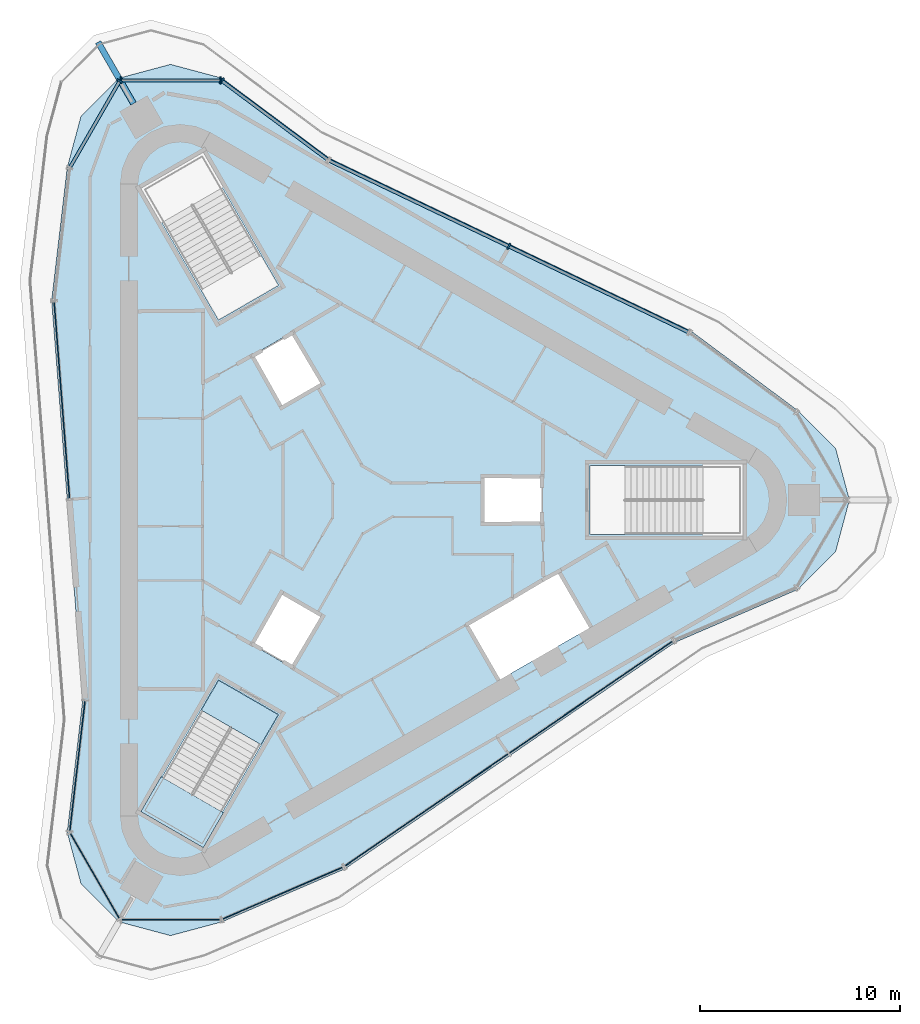
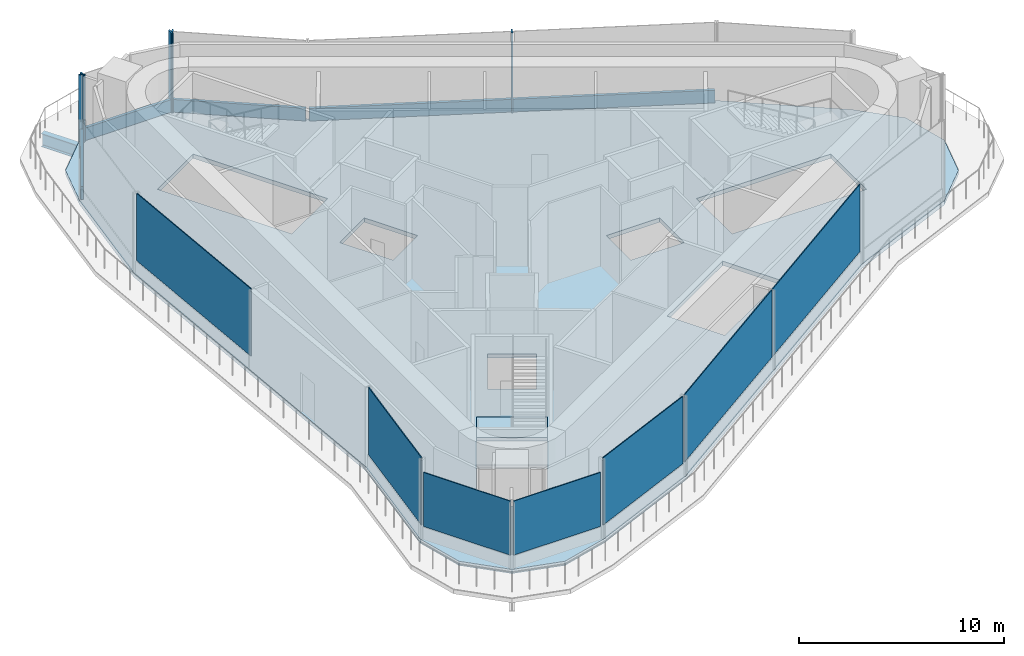
# One storey, part 2 of 8: 10 members, 7 plates, 3 slabs, 1 beam, 11 elements without a shape of their own.
"""IFC4 building model written with IfcOpenShell, lengths in metres."""

from ifc_helpers import new_model, si_unit, direction, frame, origin, origin_2d, place, context, subcontext, project, spatial, polyline, rectangle, i_section, outline, extrude, material, layer, layer_set, material_profile, profile_set, type_object, element, aggregate, save


model = new_model("IFC4")

# Units and contexts
model_context = context("Model", 3, precision=1e-05, world=origin(), true_north=direction((0.0, 1.0)))
body_context = subcontext(model_context, "Body", "Model", "MODEL_VIEW")
ifc_project = project(units=[si_unit("LENGTHUNIT", "METRE"), si_unit("AREAUNIT", "SQUARE_METRE"), si_unit("VOLUMEUNIT", "CUBIC_METRE"), si_unit("PLANEANGLEUNIT", "RADIAN"), si_unit("MASSUNIT", "GRAM", prefix="KILO")], contexts=[model_context])

# Site, building, storey
site_placement = place(None, origin())
site = spatial("IfcSite", under=ifc_project, at=site_placement, CompositionType="ELEMENT")
building_placement = place(site_placement, origin())
building = spatial("IfcBuilding", under=site, at=building_placement, Name="Tanit Gate Tower", CompositionType="ELEMENT")
storey_placement = place(building_placement, frame((0.0, 0.0, 435.300048828125)))
storey = spatial("IfcBuildingStorey", under=building, at=storey_placement, Name="L98", CompositionType="ELEMENT", Elevation=435.300048828125)

# Beam
ifc_material_1 = material(Name="Steel S355", Category="steel")
ifc_material_profile_1 = material_profile(ifc_material_1, i_section(OverallWidth=0.300048828125, OverallDepth=0.7900390625, WebThickness=0.014892578125, FlangeThickness=0.028076171875, FilletRadius=0.030029296875, at=origin_2d()), Name="HEA 800")
ifc_profile_set_1 = profile_set([ifc_material_profile_1], Name="Steel S355")
beam_type = type_object("IfcBeamType", Name="CROWN TERRACE GIRDER HEA 800 S355", PredefinedType="BEAM", material=ifc_profile_set_1)
beam_placement = place(storey_placement, frame((-11.424560546875, 19.787841796875, -0.64501953125), z_axis=(-0.499947514557, 0.866055704149, 0.0), x_axis=(-0.866055704149, -0.499947514557, 0.0)))
element("IfcBeam", 1, at=beam_placement, inside=storey, type_object=beam_type, Name="CROWN TERRACE GIRDER", PredefinedType="BEAM", context=body_context, shape_type="SweptSolid", body=[
    extrude(i_section(OverallWidth=0.300048828125, OverallDepth=0.7900390625, WebThickness=0.014892578125, FlangeThickness=0.028076171875, FilletRadius=0.030029296875, at=origin_2d()), origin(), (0.0, 0.0, 1.0), 3.537109375),
])

# Curtain wall, member
ifc_material_2 = material(Name="Aluminium bronze anodised and glass", Category="aluminium")
curtain_wall_type = type_object("IfcCurtainWallType", Name="Curtain wall plant screen", PredefinedType="NOTDEFINED", material=ifc_material_2)
curtain_wall_1_placement = place(storey_placement, origin())
curtain_wall_1 = element("IfcCurtainWall", 2, at=curtain_wall_1_placement, inside=storey, type_object=curtain_wall_type, Name="Curtain wall L98 NE2", PredefinedType="NOTDEFINED")
ifc_material_3 = material(Name="Aluminium bronze anodised", Category="aluminium")
ifc_material_profile_2 = material_profile(ifc_material_3, rectangle(XDim=0.340087890625, YDim=0.080078125, at=origin_2d()), Name="80x340 bronze mullion")
ifc_profile_set_2 = profile_set([ifc_material_profile_2], Name="Aluminium bronze anodised")
member_type_1 = type_object("IfcMemberType", Name="Mullion 80x340 plant screen", PredefinedType="MULLION", material=ifc_profile_set_2)
member_1_placement = place(storey_placement, frame((7.3046875, 12.65673828125, -0.25), z_axis=(0.0, 0.0, 1.0), x_axis=(-0.431072811819, -0.902317145415, 0.0)))
member_1 = element("IfcMember", 3, at=member_1_placement, type_object=member_type_1, Name="Mullion L98 NE2.2", PredefinedType="MULLION", context=body_context, shape_type="SweptSolid", body=[
    extrude(rectangle(XDim=0.340087890625, YDim=0.080078125, at=origin_2d()), origin(), (0.0, 0.0, 1.0), 5.0),
])

curtain_wall_2_placement = place(storey_placement, origin())
curtain_wall_2 = element("IfcCurtainWall", 4, at=curtain_wall_2_placement, inside=storey, type_object=curtain_wall_type, Name="Curtain wall L98 NE3", PredefinedType="NOTDEFINED")
member_2_placement = place(storey_placement, frame((-7.019775390625, 20.920166015625, -0.25), z_axis=(0.0, 0.0, 1.0), x_axis=(-0.59734052401, -0.801987717098, 0.0)))
member_2 = element("IfcMember", 5, at=member_2_placement, type_object=member_type_1, Name="Mullion L98 NE3.2", PredefinedType="MULLION", context=body_context, shape_type="SweptSolid", body=[
    extrude(rectangle(XDim=0.340087890625, YDim=0.080078125, at=origin_2d()), origin(), (0.0, 0.0, 1.0), 5.0),
])

# Curtain wall, members
curtain_wall_3_placement = place(storey_placement, origin())
curtain_wall_3 = element("IfcCurtainWall", 6, at=curtain_wall_3_placement, inside=storey, type_object=curtain_wall_type, Name="Curtain wall L98 NW.arc1", PredefinedType="NOTDEFINED")
member_3_placement = place(storey_placement, frame((-7.091796875, 20.944091796875, -0.25), z_axis=(0.0, 0.0, 1.0), x_axis=(-0.000471083302, -0.99999988904, 0.0)))
member_3 = element("IfcMember", 7, at=member_3_placement, type_object=member_type_1, Name="Mullion L98 NW.arc1.1", PredefinedType="MULLION", context=body_context, shape_type="SweptSolid", body=[
    extrude(rectangle(XDim=0.340087890625, YDim=0.080078125, at=origin_2d()), origin(), (0.0, 0.0, 1.0), 5.0),
])
member_4_placement = place(storey_placement, frame((-12.053466796875, 20.9462890625, -0.25), z_axis=(0.0, 0.0, 1.0), x_axis=(-0.000471083302, -0.99999988904, 0.0)))
member_4 = element("IfcMember", 8, at=member_4_placement, type_object=member_type_1, Name="Mullion L98 NW.arc1.2", PredefinedType="MULLION", context=body_context, shape_type="SweptSolid", body=[
    extrude(rectangle(XDim=0.340087890625, YDim=0.080078125, at=origin_2d()), origin(), (0.0, 0.0, 1.0), 4.2099609375),
])

# Curtain wall, member
curtain_wall_4_placement = place(storey_placement, origin())
curtain_wall_4 = element("IfcCurtainWall", 9, at=curtain_wall_4_placement, inside=storey, type_object=curtain_wall_type, Name="Curtain wall L98 NW.arc2", PredefinedType="NOTDEFINED")
member_5_placement = place(storey_placement, frame((-12.11328125, 20.911865234375, -0.25), z_axis=(0.0, 0.0, 1.0), x_axis=(0.866624446929, -0.498960988441, 0.0)))
member_5 = element("IfcMember", 10, at=member_5_placement, type_object=member_type_1, Name="Mullion L98 NW.arc2.1", PredefinedType="MULLION", context=body_context, shape_type="SweptSolid", body=[
    extrude(rectangle(XDim=0.340087890625, YDim=0.080078125, at=origin_2d()), origin(), (0.0, 0.0, 1.0), 4.2099609375),
])

# Member
ifc_material_4 = material(Name="Aluminium bronze anodised", Category="aluminium")
ifc_material_profile_3 = material_profile(ifc_material_4, rectangle(XDim=0.159912109375, YDim=1.0, at=origin_2d()), Name="160x1000 bronze transom")
ifc_profile_set_3 = profile_set([ifc_material_profile_3], Name="Aluminium bronze anodised")
member_type_2 = type_object("IfcMemberType", Name="Transom 160x1000 plant screen", PredefinedType="USERDEFINED", material=ifc_profile_set_3)
member_6_placement = place(storey_placement, frame((16.240478515625, 8.3876953125, 0.25), z_axis=(-0.902307988105, 0.431091979284, 0.0), x_axis=(-0.431091979284, -0.902307988105, 0.0)))
member_6 = element("IfcMember", 11, at=member_6_placement, type_object=member_type_2, Name="Transom L98 NE2.1", ObjectType="TRANSOM", PredefinedType="USERDEFINED", context=body_context, shape_type="SweptSolid", body=[
    extrude(rectangle(XDim=0.159912109375, YDim=1.0, at=origin_2d()), origin(), (0.0, 0.0, 1.0), 9.86328125),
])

member_7_placement = place(storey_placement, frame((7.2685546875, 12.674072265625, 0.25), z_axis=(-0.902317616208, 0.431071826359, 0.0), x_axis=(-0.431071826359, -0.902317616208, 0.0)))
member_7 = element("IfcMember", 12, at=member_7_placement, type_object=member_type_2, Name="Transom L98 NE2.2", ObjectType="TRANSOM", PredefinedType="USERDEFINED", context=body_context, shape_type="SweptSolid", body=[
    extrude(rectangle(XDim=0.159912109375, YDim=1.0, at=origin_2d()), origin(), (0.0, 0.0, 1.0), 9.863037109375),
])

aggregate(curtain_wall_1, [member_1, member_6, member_7])

member_8_placement = place(storey_placement, frame((-1.767333984375, 17.008056640625, 0.25), z_axis=(-0.801998382255, 0.597326204733, 0.0), x_axis=(-0.597326204733, -0.801998382255, 0.0)))
member_8 = element("IfcMember", 13, at=member_8_placement, type_object=member_type_2, Name="Transom L98 NE3.1", ObjectType="TRANSOM", PredefinedType="USERDEFINED", context=body_context, shape_type="SweptSolid", body=[
    extrude(rectangle(XDim=0.159912109375, YDim=1.0, at=origin_2d()), origin(), (0.0, 0.0, 1.0), 6.50927734375),
])

aggregate(curtain_wall_2, [member_2, member_8])

member_9_placement = place(storey_placement, frame((-7.1318359375, 20.944091796875, 0.25), z_axis=(-0.999999898699, 0.000450112483, 0.0), x_axis=(-0.000450112483, -0.999999898699, 0.0)))
member_9 = element("IfcMember", 14, at=member_9_placement, type_object=member_type_2, Name="Transom L98 NW.arc1.1", ObjectType="TRANSOM", PredefinedType="USERDEFINED", context=body_context, shape_type="SweptSolid", body=[
    extrude(rectangle(XDim=0.159912109375, YDim=1.0, at=origin_2d()), origin(), (0.0, 0.0, 1.0), 4.881591796875),
])

aggregate(curtain_wall_3, [member_3, member_4, member_9])

member_10_placement = place(storey_placement, frame((-12.13330078125, 20.877197265625, 0.25), z_axis=(-0.498966714889, -0.866621149888, 0.0), x_axis=(0.866621149888, -0.498966714889, 0.0)))
member_10 = element("IfcMember", 15, at=member_10_placement, type_object=member_type_2, Name="Transom L98 NW.arc2.1", ObjectType="TRANSOM", PredefinedType="USERDEFINED", context=body_context, shape_type="SweptSolid", body=[
    extrude(rectangle(XDim=0.159912109375, YDim=1.0, at=origin_2d()), origin(), (0.0, 0.0, 1.0), 4.895263671875),
])

aggregate(curtain_wall_4, [member_5, member_10])

# Slab
ifc_material_5 = material(Name="Concrete C35/45", Category="concrete")
ifc_layer_1 = layer(ifc_material_5, 0.25)
ifc_layer_set_1 = layer_set([ifc_layer_1], Name="CROWN FLOOR SLAB 250 C35/45")
slab_type_1 = type_object("IfcSlabType", Name="CROWN FLOOR SLAB 250 C35/45", PredefinedType="FLOOR", material=ifc_layer_set_1)
slab_1_placement = place(storey_placement, frame((0.0, 0.0, -0.25)))
element("IfcSlab", 16, at=slab_1_placement, inside=storey, type_object=slab_type_1, Name="FLOOR SLAB L98", PredefinedType="FLOOR", context=body_context, shape_type="SweptSolid", body=[
    extrude(outline(polyline([(21.732666015625, 4.466064453125), (23.6201171875, 2.578369140625), (24.31103515625, 0.0), (23.6201171875, -2.578369140625), (21.732666015625, -4.466064453125), (15.597900390625, -7.110595703125), (-0.864013671875, -18.409423828125), (-6.99853515625, -21.053955078125), (-9.5771484375, -21.744873046875), (-12.155517578125, -21.053955078125), (-14.043212890625, -19.16650390625), (-14.73388671875, -16.587890625), (-13.956787109375, -9.952880859375), (-15.510986328125, 9.952880859375), (-14.73388671875, 16.587890625), (-14.043212890625, 19.16650390625), (-12.155517578125, 21.053955078125), (-9.5771484375, 21.744873046875), (-6.99853515625, 21.053955078125), (-1.640869140625, 17.0634765625), (16.375, 8.45654296875), (21.732666015625, 4.466064453125)]), holes=[polyline([(11.3701171875, -1.72998046875), (11.3701171875, 1.72998046875), (18.929931640625, 1.72998046875), (18.929931640625, -1.72998046875), (11.3701171875, -1.72998046875)]), polyline([(9.82080078125, -3.510009765625), (11.44580078125, -6.324462890625), (6.76904296875, -9.0244140625), (5.14404296875, -6.2099609375), (9.82080078125, -3.510009765625)]), polyline([(6.0, -1.199951171875), (6.0, 1.199951171875), (9.0, 1.199951171875), (9.0, -1.199951171875), (6.0, -1.199951171875)]), polyline([(-1.960693359375, 5.796142578125), (-4.039306640625, 4.59619140625), (-5.539306640625, 7.194091796875), (-3.460693359375, 8.394287109375), (-1.960693359375, 5.796142578125)]), polyline([(-4.039306640625, -4.59619140625), (-1.960693359375, -5.796142578125), (-3.460693359375, -8.394287109375), (-5.539306640625, -7.194091796875), (-4.039306640625, -4.59619140625)]), polyline([(-4.186767578125, 10.711669921875), (-7.18310546875, 8.981689453125), (-10.963134765625, 15.52880859375), (-7.966796875, 17.2587890625), (-4.186767578125, 10.711669921875)]), polyline([(-7.18310546875, -8.981689453125), (-4.186767578125, -10.711669921875), (-7.966796875, -17.2587890625), (-10.963134765625, -15.52880859375), (-7.18310546875, -8.981689453125)])]), origin(), (0.0, 0.0, 1.0), 0.25),
])

# Stair, slab
ifc_material_6 = material(Name="Concrete C40/50", Category="concrete")
stair_type = type_object("IfcStairType", Name="INT-STAIR-EXIT", PredefinedType="HALF_TURN_STAIR", material=ifc_material_6)
stair_placement = place(storey_placement, origin())
stair = element("IfcStair", 17, at=stair_placement, inside=storey, type_object=stair_type, Name="L98 STAIR S3", PredefinedType="HALF_TURN_STAIR")
ifc_material_7 = material(Name="Concrete C40/50", Category="concrete")
ifc_layer_2 = layer(ifc_material_7, 0.199951171875)
ifc_layer_set_2 = layer_set([ifc_layer_2], Name="INT-STAIR-LANDING")
slab_type_2 = type_object("IfcSlabType", Name="INT-STAIR-LANDING", PredefinedType="LANDING", material=ifc_layer_set_2)
slab_2_placement = place(storey_placement, frame((0.0, 0.0, 2.300048828125)))
slab_2 = element("IfcSlab", 18, at=slab_2_placement, type_object=slab_type_2, Name="S3 landing 1", PredefinedType="LANDING", context=body_context, shape_type="SweptSolid", body=[
    extrude(outline(polyline([(-10.05126953125, -13.809326171875), (-11.058837890625, -15.554443359375), (-7.941162109375, -17.3544921875), (-6.93359375, -15.609375), (-10.05126953125, -13.809326171875)])), origin(), (0.0, 0.0, 1.0), 0.199951171875),
])
aggregate(stair, [slab_2])

# Slab
slab_3_placement = place(storey_placement, frame((0.0, 0.0, -0.199951171875)))
element("IfcSlab", 19, at=slab_3_placement, inside=storey, type_object=slab_type_2, Name="S3 floor landing", PredefinedType="LANDING", context=body_context, shape_type="SweptSolid", body=[
    extrude(outline(polyline([(-7.179443359375, -8.995361328125), (-8.0419921875, -10.4892578125), (-5.06298828125, -12.209228515625), (-4.200439453125, -10.71533203125), (-7.179443359375, -8.995361328125)])), origin(), (0.0, 0.0, 1.0), 0.199951171875),
])

# Curtain wall, plate
curtain_wall_5_placement = place(storey_placement, origin())
curtain_wall_5 = element("IfcCurtainWall", 20, at=curtain_wall_5_placement, inside=storey, type_object=curtain_wall_type, Name="Curtain wall L98 W2a", PredefinedType="NOTDEFINED")
ifc_material_8 = material(Name="Aluminium bronze anodised louvre", Category="aluminium")
ifc_layer_3 = layer(ifc_material_8, 0.050048828125)
ifc_layer_set_3 = layer_set([ifc_layer_3], Name="Louvre panel 50 plant screen")
plate_type = type_object("IfcPlateType", Name="Louvre panel 50 plant screen", PredefinedType="CURTAIN_PANEL", material=ifc_layer_set_3)
plate_1_placement = place(storey_placement, frame((-15.001953125, 4.97412109375, 0.75), z_axis=(0.0, 0.0, 1.0), x_axis=(0.077838566791, -0.996965976109, 0.0)))
plate_1 = element("IfcPlate", 21, at=plate_1_placement, type_object=plate_type, Name="Louvre panel L98 W2a.1", PredefinedType="CURTAIN_PANEL", context=body_context, shape_type="SweptSolid", body=[
    extrude(rectangle(XDim=9.822998046875, YDim=0.050048828125, at=origin_2d()), origin(), (0.0, 0.0, 1.0), 4.0),
])
aggregate(curtain_wall_5, [plate_1])

curtain_wall_6_placement = place(storey_placement, origin())
curtain_wall_6 = element("IfcCurtainWall", 22, at=curtain_wall_6_placement, inside=storey, type_object=curtain_wall_type, Name="Curtain wall L98 W3", PredefinedType="NOTDEFINED")
plate_2_placement = place(storey_placement, frame((-14.22412109375, -13.26708984375, 0.75), z_axis=(0.0, 0.0, 1.0), x_axis=(-0.116318209953, -0.993211998535, 0.0)))
plate_2 = element("IfcPlate", 23, at=plate_2_placement, type_object=plate_type, Name="Louvre panel L98 W3.1", PredefinedType="CURTAIN_PANEL", context=body_context, shape_type="SweptSolid", body=[
    extrude(rectangle(XDim=6.50927734375, YDim=0.050048828125, at=origin_2d()), origin(), (0.0, 0.0, 1.0), 4.0),
])
aggregate(curtain_wall_6, [plate_2])

curtain_wall_7_placement = place(storey_placement, origin())
curtain_wall_7 = element("IfcCurtainWall", 24, at=curtain_wall_7_placement, inside=storey, type_object=curtain_wall_type, Name="Curtain wall L98 SW.arc1", PredefinedType="NOTDEFINED")
plate_3_placement = place(storey_placement, frame((-13.352783203125, -18.7626953125, 0.75), z_axis=(0.0, 0.0, 1.0), x_axis=(0.499591974413, -0.866260849341, 0.0)))
plate_3 = element("IfcPlate", 25, at=plate_3_placement, type_object=plate_type, Name="Louvre panel L98 SW.arc1.1", PredefinedType="CURTAIN_PANEL", context=body_context, shape_type="SweptSolid", body=[
    extrude(rectangle(XDim=4.881591796875, YDim=0.050048828125, at=origin_2d()), origin(), (0.0, 0.0, 1.0), 3.2099609375),
])
aggregate(curtain_wall_7, [plate_3])

curtain_wall_8_placement = place(storey_placement, origin())
curtain_wall_8 = element("IfcCurtainWall", 26, at=curtain_wall_8_placement, inside=storey, type_object=curtain_wall_type, Name="Curtain wall L98 SW.arc2", PredefinedType="NOTDEFINED")
plate_4_placement = place(storey_placement, frame((-9.565673828125, -20.943359375, 0.75), z_axis=(0.0, 0.0, 1.0), x_axis=(0.999999280801, 0.001199331977, 0.0)))
plate_4 = element("IfcPlate", 27, at=plate_4_placement, type_object=plate_type, Name="Louvre panel L98 SW.arc2.1", PredefinedType="CURTAIN_PANEL", context=body_context, shape_type="SweptSolid", body=[
    extrude(rectangle(XDim=4.895263671875, YDim=0.050048828125, at=origin_2d()), origin(), (0.0, 0.0, 1.0), 3.2099609375),
])
aggregate(curtain_wall_8, [plate_4])

curtain_wall_9_placement = place(storey_placement, origin())
curtain_wall_9 = element("IfcCurtainWall", 28, at=curtain_wall_9_placement, inside=storey, type_object=curtain_wall_type, Name="Curtain wall L98 SE1", PredefinedType="NOTDEFINED")
plate_5_placement = place(storey_placement, frame((-3.980224609375, -19.6220703125, 0.75), z_axis=(0.0, 0.0, 1.0), x_axis=(0.918305927051, 0.395871474525, 0.0)))
plate_5 = element("IfcPlate", 29, at=plate_5_placement, type_object=plate_type, Name="Louvre panel L98 SE1.1", PredefinedType="CURTAIN_PANEL", context=body_context, shape_type="SweptSolid", body=[
    extrude(rectangle(XDim=6.5, YDim=0.050048828125, at=origin_2d()), origin(), (0.0, 0.0, 1.0), 4.0),
])
aggregate(curtain_wall_9, [plate_5])

# Curtain wall, plates
curtain_wall_10_placement = place(storey_placement, origin())
curtain_wall_10 = element("IfcCurtainWall", 30, at=curtain_wall_10_placement, inside=storey, type_object=curtain_wall_type, Name="Curtain wall L98 SE2", PredefinedType="NOTDEFINED")
plate_6_placement = place(storey_placement, frame((3.209716796875, -15.4677734375, 0.75), z_axis=(0.0, 0.0, 1.0), x_axis=(0.824478578624, 0.56589316429, 0.0)))
plate_6 = element("IfcPlate", 31, at=plate_6_placement, type_object=plate_type, Name="Louvre panel L98 SE2.1", PredefinedType="CURTAIN_PANEL", context=body_context, shape_type="SweptSolid", body=[
    extrude(rectangle(XDim=9.863037109375, YDim=0.050048828125, at=origin_2d()), origin(), (0.0, 0.0, 1.0), 4.0),
])
plate_7_placement = place(storey_placement, frame((11.40771484375, -9.841064453125, 0.75), z_axis=(0.0, 0.0, 1.0), x_axis=(0.824478578624, 0.56589316429, 0.0)))
plate_7 = element("IfcPlate", 32, at=plate_7_placement, type_object=plate_type, Name="Louvre panel L98 SE2.2", PredefinedType="CURTAIN_PANEL", context=body_context, shape_type="SweptSolid", body=[
    extrude(rectangle(XDim=9.863037109375, YDim=0.050048828125, at=origin_2d()), origin(), (0.0, 0.0, 1.0), 4.0),
])
aggregate(curtain_wall_10, [plate_6, plate_7])

save(model, "model.ifc")
